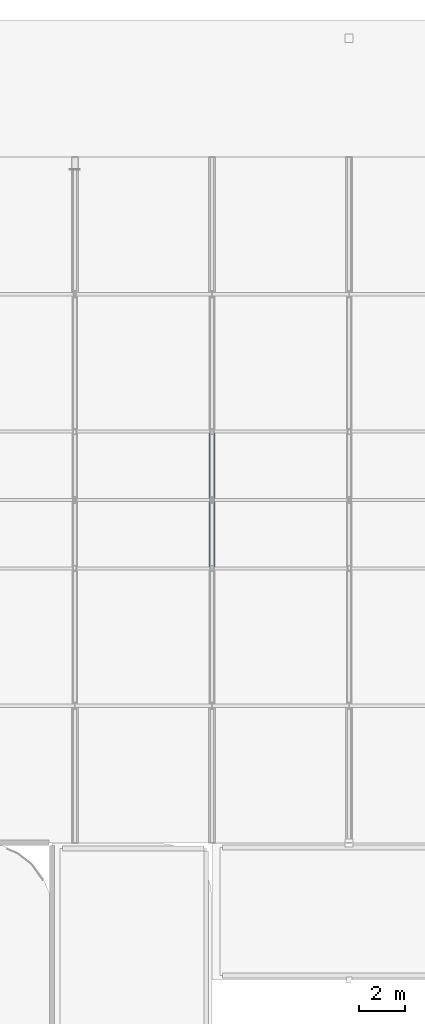
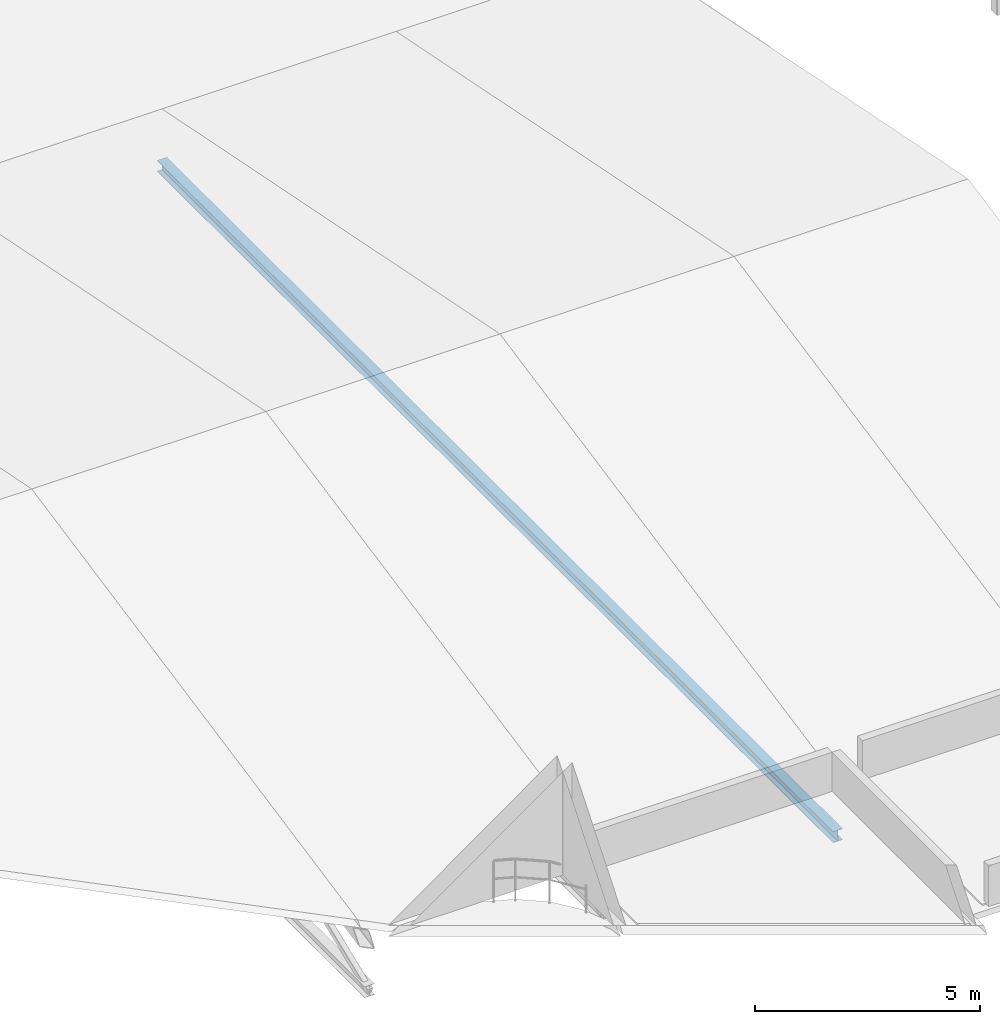
# One storey, part 35 of 83: 1 member.
"""IFC4 building model written with IfcOpenShell, lengths in metres."""

from ifc_helpers import new_model, si_unit, direction, frame, origin, origin_2d, place, context, subcontext, project, spatial, i_section, extrude, material, material_profile, profile_set, type_object, element, save


model = new_model("IFC4")

# Units and contexts
model_context = context("Model", 3, precision=1e-05, world=origin(), true_north=direction((0.0, 1.0)))
body_context = subcontext(model_context, "Body", "Model", "MODEL_VIEW")
ifc_project = project(units=[si_unit("LENGTHUNIT", "METRE"), si_unit("AREAUNIT", "SQUARE_METRE"), si_unit("VOLUMEUNIT", "CUBIC_METRE"), si_unit("PLANEANGLEUNIT", "RADIAN"), si_unit("MASSUNIT", "GRAM", prefix="KILO")], contexts=[model_context])

# Site, building, storey
site_placement = place(None, origin())
site = spatial("IfcSite", under=ifc_project, at=site_placement, CompositionType="ELEMENT")
building_placement = place(site_placement, origin())
building = spatial("IfcBuilding", under=site, at=building_placement, Name="Varnakota Square Police Headquarters", CompositionType="ELEMENT")
storey_placement = place(building_placement, frame((0.0, 0.0, 18.0)))
storey = spatial("IfcBuildingStorey", under=building, at=storey_placement, Name="L04", CompositionType="ELEMENT", Elevation=18.0)

# Member
ifc_material = material(Name="Steel IS 2062 Grade 350", Category="steel")
ifc_material_profile = material_profile(ifc_material, i_section(OverallWidth=0.25, OverallDepth=0.300048828125, WebThickness=0.009521484375, FlangeThickness=0.010498046875, FilletRadius=0.011962890625, at=origin_2d()), Name="ISHB 300")
ifc_profile_set = profile_set([ifc_material_profile], Name="Steel IS 2062 Grade 350")
member_type = type_object("IfcMemberType", Name="MEM-TRCH-ISHB300", PredefinedType="CHORD", material=ifc_profile_set)
member_placement = place(storey_placement, frame((42.0, 75.0, -1.5), z_axis=(0.0, 1.0, 0.0), x_axis=(-1.0, 0.0, 0.0)))
element("IfcMember", 1, at=member_placement, inside=storey, type_object=member_type, Name="ROOF TRUSS bottom chord T6", PredefinedType="CHORD", context=body_context, shape_type="SweptSolid", body=[
    extrude(i_section(OverallWidth=0.25, OverallDepth=0.300048828125, WebThickness=0.009521484375, FlangeThickness=0.010498046875, FilletRadius=0.011962890625, at=origin_2d()), origin(), (0.0, 0.0, 1.0), 30.0),
])

save(model, "model.ifc")
